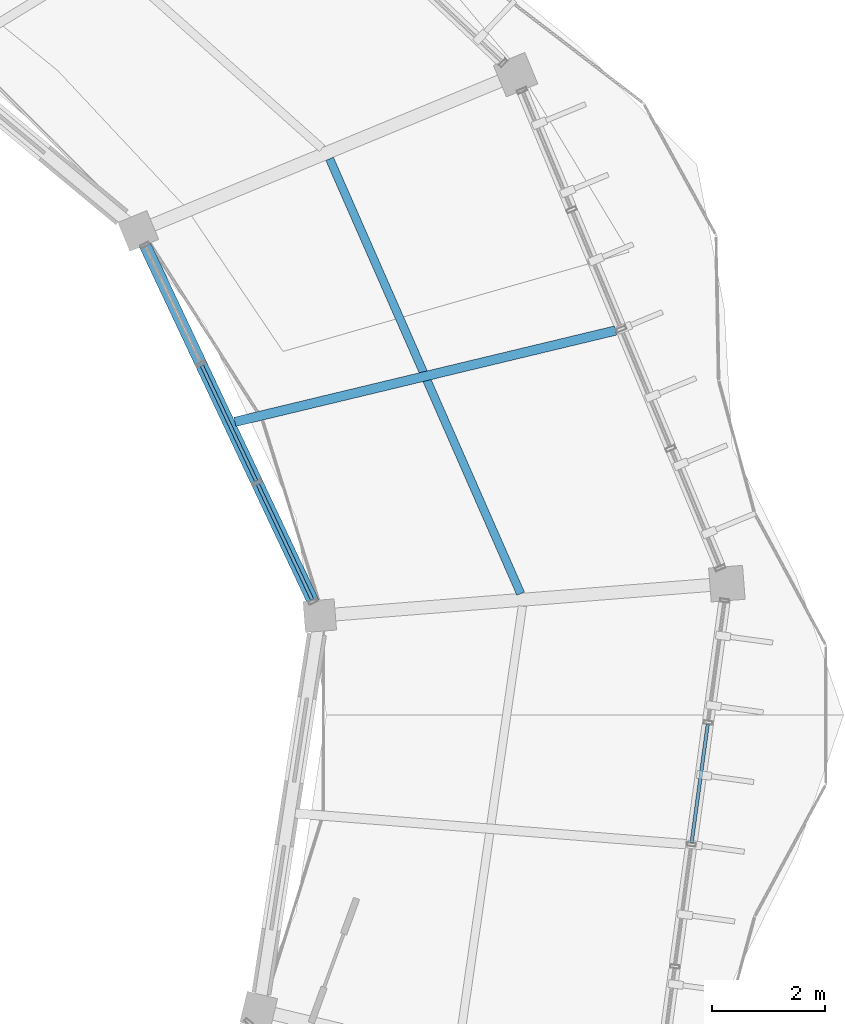
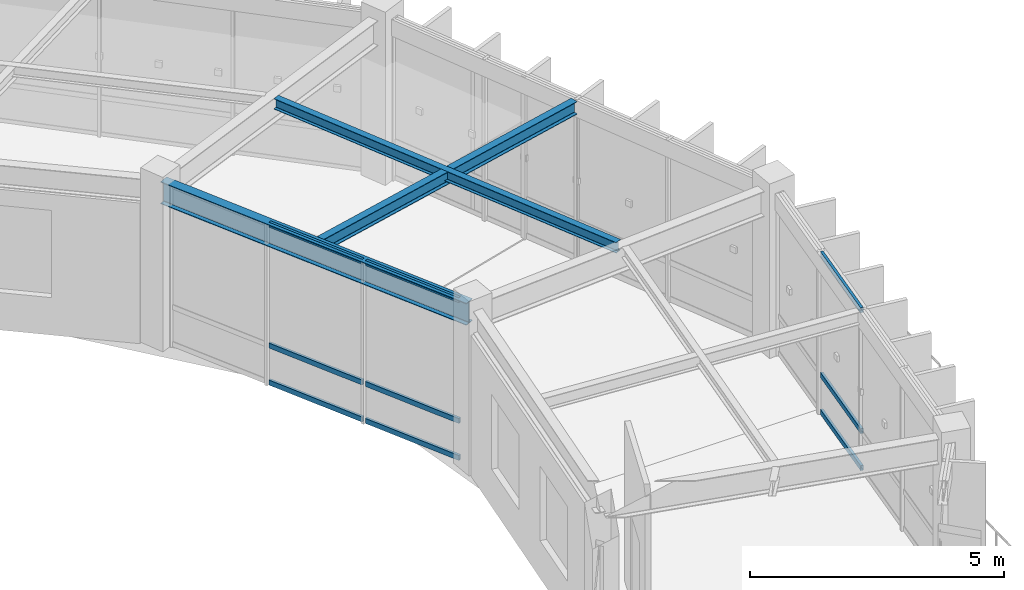
# One storey, part 57 of 83: 9 members, 3 beams, 2 elements without a shape of their own.
"""IFC4 building model written with IfcOpenShell, lengths in metres."""

from ifc_helpers import new_model, si_unit, direction, frame, origin, origin_2d, place, context, subcontext, project, spatial, hollow_rectangle, i_section, extrude, material, material_profile, profile_set, type_object, element, aggregate, save


model = new_model("IFC4")

# Units and contexts
model_context = context("Model", 3, precision=1e-05, world=origin(), true_north=direction((0.0, 1.0)))
body_context = subcontext(model_context, "Body", "Model", "MODEL_VIEW")
ifc_project = project(units=[si_unit("LENGTHUNIT", "METRE"), si_unit("AREAUNIT", "SQUARE_METRE"), si_unit("VOLUMEUNIT", "CUBIC_METRE"), si_unit("PLANEANGLEUNIT", "RADIAN"), si_unit("MASSUNIT", "GRAM", prefix="KILO"), si_unit("THERMODYNAMICTEMPERATUREUNIT", "KELVIN"), si_unit("POWERUNIT", "WATT")], contexts=[model_context])

# Site, building, storey
site_placement = place(None, origin())
site = spatial("IfcSite", under=ifc_project, at=site_placement, CompositionType="ELEMENT")
building_placement = place(site_placement, origin())
building = spatial("IfcBuilding", under=site, at=building_placement, Name="Darbajah Civic Hall", CompositionType="ELEMENT")
storey_placement = place(building_placement, frame((0.0, 0.0, 18.0)))
storey = spatial("IfcBuildingStorey", under=building, at=storey_placement, Name="L04", CompositionType="ELEMENT", Elevation=18.0)

# Curtain wall, members
ifc_material_1 = material(Name="Anodised Bronze Aluminium and Low-E Glazing", Category="aluminium")
curtain_wall_type_1 = type_object("IfcCurtainWallType", Name="Unitised Curtain Wall CW-55 6900x3900", PredefinedType="USERDEFINED", material=ifc_material_1)
curtain_wall_1_placement = place(storey_placement, origin())
curtain_wall_1 = element("IfcCurtainWall", 1, at=curtain_wall_1_placement, inside=storey, type_object=curtain_wall_type_1, Name="L04 unitised curtain wall CW-V1I-L04-00", ObjectType="UNITISED CURTAIN WALL", PredefinedType="USERDEFINED")
ifc_material_2 = material(Name="Anodised Bronze Aluminium", Category="aluminium")
ifc_material_profile_1 = material_profile(ifc_material_2, hollow_rectangle(XDim=0.06005859375, YDim=0.1201171875, WallThickness=0.003173828125, at=origin_2d()), Name="ALU TRANSOM 60x120")
ifc_profile_set_1 = profile_set([ifc_material_profile_1], Name="Anodised Bronze Aluminium")
member_type = type_object("IfcMemberType", Name="ALU TRANSOM 60x120", PredefinedType="USERDEFINED", material=ifc_profile_set_1)
member_1_placement = place(storey_placement, frame((132.632080078125, 91.831787109375, 0.06005859375), z_axis=(-0.426524703354, 0.904475913128, 0.0), x_axis=(-0.904475913128, -0.426524703354, 0.0)))
member_1 = element("IfcMember", 2, at=member_1_placement, type_object=member_type, Name="CW-V1I-L04-00 transom 1.1", ObjectType="TRANSOM", PredefinedType="USERDEFINED", context=body_context, shape_type="SweptSolid", body=[
    extrude(hollow_rectangle(XDim=0.06005859375, YDim=0.1201171875, WallThickness=0.003173828125, at=origin_2d()), origin(), (0.0, 0.0, 1.0), 2.24560546875),
])
member_2_placement = place(storey_placement, frame((132.632080078125, 91.831787109375, 0.949951171875), z_axis=(-0.426524703354, 0.904475913128, 0.0), x_axis=(-0.904475913128, -0.426524703354, 0.0)))
member_2 = element("IfcMember", 3, at=member_2_placement, type_object=member_type, Name="CW-V1I-L04-00 transom 1.2", ObjectType="TRANSOM", PredefinedType="USERDEFINED", context=body_context, shape_type="SweptSolid", body=[
    extrude(hollow_rectangle(XDim=0.06005859375, YDim=0.1201171875, WallThickness=0.003173828125, at=origin_2d()), origin(), (0.0, 0.0, 1.0), 2.24560546875),
])
member_3_placement = place(storey_placement, frame((132.632080078125, 91.831787109375, 3.860107421875), z_axis=(-0.426524703354, 0.904475913128, 0.0), x_axis=(-0.904475913128, -0.426524703354, 0.0)))
member_3 = element("IfcMember", 4, at=member_3_placement, type_object=member_type, Name="CW-V1I-L04-00 transom 1.3", ObjectType="TRANSOM", PredefinedType="USERDEFINED", context=body_context, shape_type="SweptSolid", body=[
    extrude(hollow_rectangle(XDim=0.06005859375, YDim=0.1201171875, WallThickness=0.003173828125, at=origin_2d()), origin(), (0.0, 0.0, 1.0), 2.24560546875),
])
member_4_placement = place(storey_placement, frame((131.644287109375, 93.92626953125, 0.06005859375), z_axis=(-0.426524703354, 0.904475913128, 0.0), x_axis=(-0.904475913128, -0.426524703354, 0.0)))
member_4 = element("IfcMember", 5, at=member_4_placement, type_object=member_type, Name="CW-V1I-L04-00 transom 2.1", ObjectType="TRANSOM", PredefinedType="USERDEFINED", context=body_context, shape_type="SweptSolid", body=[
    extrude(hollow_rectangle(XDim=0.06005859375, YDim=0.1201171875, WallThickness=0.003173828125, at=origin_2d()), origin(), (0.0, 0.0, 1.0), 2.24560546875),
])
member_5_placement = place(storey_placement, frame((131.644287109375, 93.92626953125, 0.949951171875), z_axis=(-0.426524703354, 0.904475913128, 0.0), x_axis=(-0.904475913128, -0.426524703354, 0.0)))
member_5 = element("IfcMember", 6, at=member_5_placement, type_object=member_type, Name="CW-V1I-L04-00 transom 2.2", ObjectType="TRANSOM", PredefinedType="USERDEFINED", context=body_context, shape_type="SweptSolid", body=[
    extrude(hollow_rectangle(XDim=0.06005859375, YDim=0.1201171875, WallThickness=0.003173828125, at=origin_2d()), origin(), (0.0, 0.0, 1.0), 2.24560546875),
])
member_6_placement = place(storey_placement, frame((131.644287109375, 93.92626953125, 3.860107421875), z_axis=(-0.426524703354, 0.904475913128, 0.0), x_axis=(-0.904475913128, -0.426524703354, 0.0)))
member_6 = element("IfcMember", 7, at=member_6_placement, type_object=member_type, Name="CW-V1I-L04-00 transom 2.3", ObjectType="TRANSOM", PredefinedType="USERDEFINED", context=body_context, shape_type="SweptSolid", body=[
    extrude(hollow_rectangle(XDim=0.06005859375, YDim=0.1201171875, WallThickness=0.003173828125, at=origin_2d()), origin(), (0.0, 0.0, 1.0), 2.24560546875),
])
aggregate(curtain_wall_1, [member_1, member_2, member_3, member_4, member_5, member_6])

curtain_wall_type_2 = type_object("IfcCurtainWallType", Name="Unitised Curtain Wall CW-76 8700x3900", PredefinedType="USERDEFINED", material=ifc_material_1)
curtain_wall_2_placement = place(storey_placement, origin())
curtain_wall_2 = element("IfcCurtainWall", 8, at=curtain_wall_2_placement, inside=storey, type_object=curtain_wall_type_2, Name="L04 unitised curtain wall CW-V1O-L04-19", ObjectType="UNITISED CURTAIN WALL", PredefinedType="USERDEFINED")
member_7_placement = place(storey_placement, frame((139.321533203125, 87.548583984375, 0.06005859375), z_axis=(0.134827926365, 0.99086902781, 0.0), x_axis=(-0.99086902781, 0.134827926365, 0.0)))
member_7 = element("IfcMember", 9, at=member_7_placement, type_object=member_type, Name="CW-V1O-L04-19 transom 3.1", ObjectType="TRANSOM", PredefinedType="USERDEFINED", context=body_context, shape_type="SweptSolid", body=[
    extrude(hollow_rectangle(XDim=0.06005859375, YDim=0.1201171875, WallThickness=0.003173828125, at=origin_2d()), origin(), (0.0, 0.0, 1.0), 2.1005859375),
])
member_8_placement = place(storey_placement, frame((139.321533203125, 87.548583984375, 0.949951171875), z_axis=(0.134827926365, 0.99086902781, 0.0), x_axis=(-0.99086902781, 0.134827926365, 0.0)))
member_8 = element("IfcMember", 10, at=member_8_placement, type_object=member_type, Name="CW-V1O-L04-19 transom 3.2", ObjectType="TRANSOM", PredefinedType="USERDEFINED", context=body_context, shape_type="SweptSolid", body=[
    extrude(hollow_rectangle(XDim=0.06005859375, YDim=0.1201171875, WallThickness=0.003173828125, at=origin_2d()), origin(), (0.0, 0.0, 1.0), 2.1005859375),
])
member_9_placement = place(storey_placement, frame((139.321533203125, 87.548583984375, 3.860107421875), z_axis=(0.134827926365, 0.99086902781, 0.0), x_axis=(-0.99086902781, 0.134827926365, 0.0)))
member_9 = element("IfcMember", 11, at=member_9_placement, type_object=member_type, Name="CW-V1O-L04-19 transom 3.3", ObjectType="TRANSOM", PredefinedType="USERDEFINED", context=body_context, shape_type="SweptSolid", body=[
    extrude(hollow_rectangle(XDim=0.06005859375, YDim=0.1201171875, WallThickness=0.003173828125, at=origin_2d()), origin(), (0.0, 0.0, 1.0), 2.1005859375),
])
aggregate(curtain_wall_2, [member_7, member_8, member_9])

# Beams
ifc_material_3 = material(Name="Steel S355JR", Category="steel")
ifc_material_profile_2 = material_profile(ifc_material_3, i_section(OverallWidth=0.146484375, OverallDepth=0.256103515625, WebThickness=0.00634765625, FlangeThickness=0.010986328125, FilletRadius=0.007568359375, at=origin_2d()), Name="UB 254x146x37")
ifc_profile_set_2 = profile_set([ifc_material_profile_2], Name="Steel S355JR")
beam_type_1 = type_object("IfcBeamType", Name="UB 254x146x37", PredefinedType="JOIST", material=ifc_profile_set_2)
beam_1_placement = place(storey_placement, frame((136.30712890625, 91.938232421875, 3.7919921875), z_axis=(-0.402231491777, 0.915537998678, 0.0), x_axis=(-0.915537998678, -0.402231491777, 0.0)))
element("IfcBeam", 12, at=beam_1_placement, inside=storey, type_object=beam_type_1, Name="L04 beam SJ-254", PredefinedType="JOIST", context=body_context, shape_type="SweptSolid", body=[
    extrude(i_section(OverallWidth=0.146484375, OverallDepth=0.256103515625, WebThickness=0.00634765625, FlangeThickness=0.010986328125, FilletRadius=0.007568359375, at=origin_2d()), origin(), (0.0, 0.0, 1.0), 8.374267578125),
])
ifc_material_profile_3 = material_profile(ifc_material_3, i_section(OverallWidth=0.165771484375, OverallDepth=0.306640625, WebThickness=0.006591796875, FlangeThickness=0.01171875, FilletRadius=0.0087890625, at=origin_2d()), Name="UB 305x165x46")
ifc_profile_set_3 = profile_set([ifc_material_profile_3], Name="Steel S355JR")
beam_type_2 = type_object("IfcBeamType", Name="UB 305x165x46", PredefinedType="JOIST", material=ifc_profile_set_3)
beam_2_placement = place(storey_placement, frame((131.2685546875, 94.96630859375, 3.7666015625), z_axis=(0.972369643286, 0.233446518106, 0.0), x_axis=(-0.233446518106, 0.972369643286, 0.0)))
element("IfcBeam", 13, at=beam_2_placement, inside=storey, type_object=beam_type_2, Name="L04 beam SJ-305", PredefinedType="JOIST", context=body_context, shape_type="SweptSolid", body=[
    extrude(i_section(OverallWidth=0.165771484375, OverallDepth=0.306640625, WebThickness=0.006591796875, FlangeThickness=0.01171875, FilletRadius=0.0087890625, at=origin_2d()), origin(), (0.0, 0.0, 1.0), 6.9033203125),
])
ifc_material_profile_4 = material_profile(ifc_material_3, i_section(OverallWidth=0.209228515625, OverallDepth=0.533203125, WebThickness=0.010009765625, FlangeThickness=0.015625, FilletRadius=0.0126953125, at=origin_2d()), Name="UB 533x210x92")
ifc_profile_set_4 = profile_set([ifc_material_profile_4], Name="Steel S355JR")
beam_type_3 = type_object("IfcBeamType", Name="UB 533x210x92", PredefinedType="BEAM", material=ifc_profile_set_4)
beam_3_placement = place(storey_placement, frame((132.73095703125, 91.6220703125, 3.653564453125), z_axis=(-0.426514469485, 0.904480739054, 0.0), x_axis=(-0.904480739054, -0.426514469485, 0.0)))
element("IfcBeam", 14, at=beam_3_placement, inside=storey, type_object=beam_type_3, Name="L04 beam SB-533", PredefinedType="BEAM", context=body_context, shape_type="SweptSolid", body=[
    extrude(i_section(OverallWidth=0.209228515625, OverallDepth=0.533203125, WebThickness=0.010009765625, FlangeThickness=0.015625, FilletRadius=0.0126953125, at=origin_2d()), origin(), (0.0, 0.0, 1.0), 7.340576171875),
])

save(model, "model.ifc")
